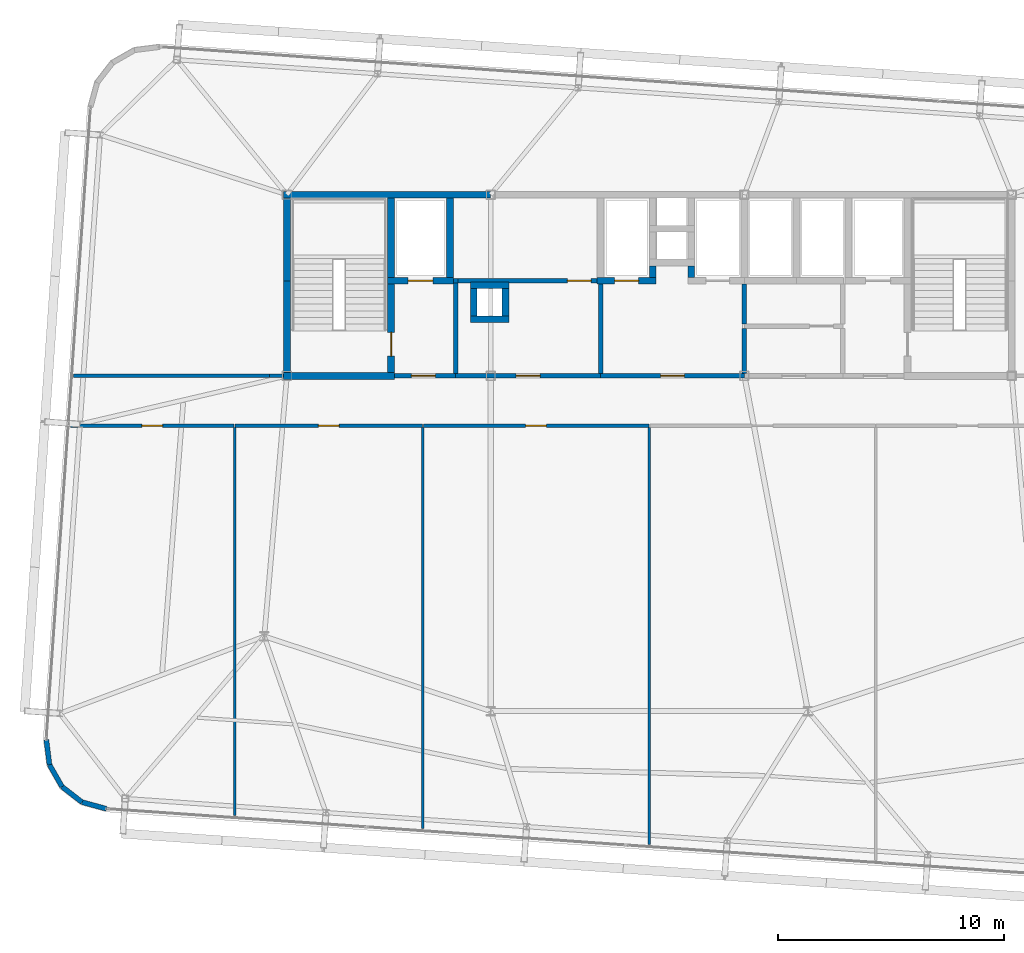
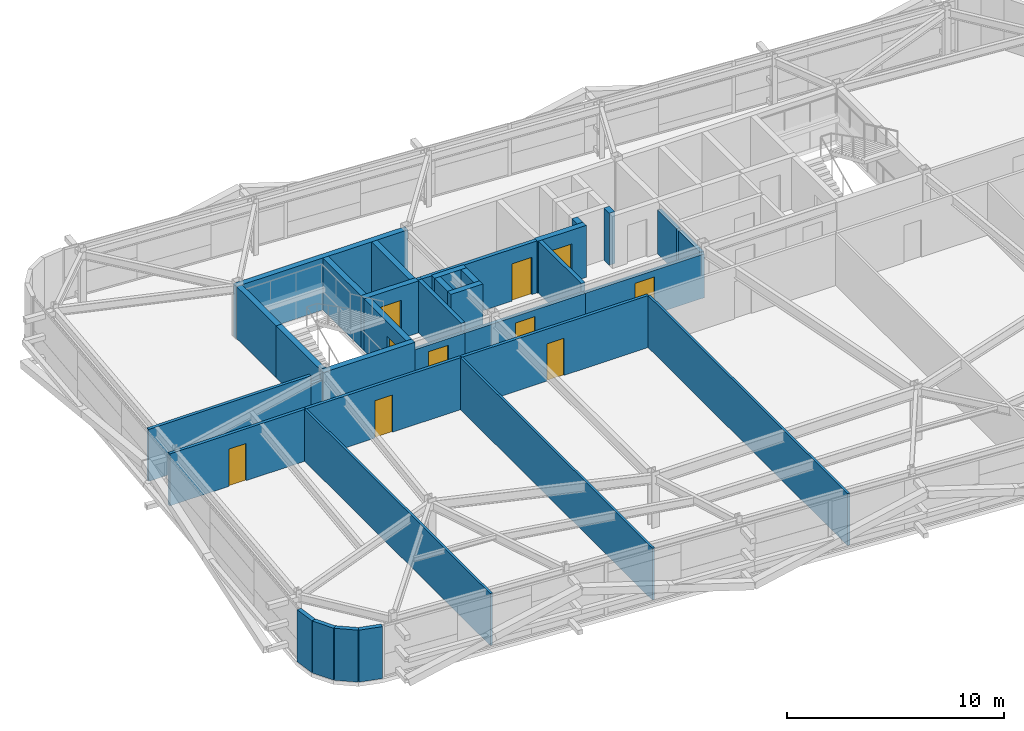
# One storey, part 35 of 39: 36 walls, 10 doors, 10 openings.
"""IFC4 building model written with IfcOpenShell, lengths in metres."""

from ifc_helpers import new_model, si_unit, direction, frame, frame_2d, origin, place, context, subcontext, project, spatial, rectangle, extrude, source, transform, mapped, material, layer, layer_set, type_object, element, fill, save


model = new_model("IFC4")

# Units and contexts
model_context = context("Model", 3, precision=1e-05, world=origin(), true_north=direction((0.0, 1.0)))
body_context = subcontext(model_context, "Body", "Model", "MODEL_VIEW")
ifc_project = project(units=[si_unit("LENGTHUNIT", "METRE"), si_unit("AREAUNIT", "SQUARE_METRE"), si_unit("VOLUMEUNIT", "CUBIC_METRE"), si_unit("PLANEANGLEUNIT", "RADIAN"), si_unit("MASSUNIT", "GRAM", prefix="KILO")], contexts=[model_context])

# Site, building, storey
site_placement = place(None, origin())
site = spatial("IfcSite", under=ifc_project, at=site_placement, CompositionType="ELEMENT")
building_placement = place(site_placement, origin())
building = spatial("IfcBuilding", under=site, at=building_placement, Name="Taldren Reach Tower", CompositionType="ELEMENT")
storey_placement = place(building_placement, frame((0.0, 0.0, 145.60009765625)))
storey = spatial("IfcBuildingStorey", under=building, at=storey_placement, Name="L44", CompositionType="ELEMENT", Elevation=145.60009765625)

# Walls
ifc_material_1 = material(Name="Pale Champagne Anodised Aluminium Cladding", Category="aluminium")
ifc_layer_1 = layer(ifc_material_1, 0.04, Name="Pale Champagne Anodised Aluminium Cladding", Category="aluminium")
ifc_material_2 = material(Name="Mineral Wool Acoustic Insulation", Category="insulation")
ifc_layer_2 = layer(ifc_material_2, 0.06, Name="Mineral Wool Acoustic Insulation", Category="insulation")
ifc_material_3 = material(Name="Steel Gr 350 (C350L0)", Category="steel")
ifc_layer_3 = layer(ifc_material_3, 0.12, Name="Steel Gr 350 (C350L0)", Category="steel")
ifc_layer_set_1 = layer_set([ifc_layer_1, ifc_layer_2, ifc_layer_3], Name="Pale Champagne Aluminium Cladding and Steel Gr 350 Stud Framing")
wall_type_1 = type_object("IfcWallType", Name="EW-CRN-220", PredefinedType="SOLIDWALL", material=ifc_layer_set_1)
shared_shape_1 = source(origin(), body_context, "Body", "SweptSolid", [
    extrude(rectangle(XDim=1.115966796875, YDim=0.219970703125, at=frame_2d((0.55810546875, 0.0))), origin(), (0.0, 0.0, 1.0), 2.929931640625),
])
for number, where, z_axis, x_axis, name in (
    (1, (8.37646484375, 7.93798828125, 0.0), (0.0, 0.0, 1.0), (0.126242535829, -0.991999406324, 0.0), "Rounded-corner pale-metal facade wall L44-SW1"),
    (2, (8.517333984375, 6.8310546875, 0.0), (0.0, 0.0, 1.0), (0.496138938357, -0.868243142124, 0.0), "Rounded-corner pale-metal facade wall L44-SW2"),
    (3, (9.071044921875, 5.862060546875, 0.0), (0.0, 0.0, 1.0), (0.790716874741, -0.612182018684, 0.0), "Rounded-corner pale-metal facade wall L44-SW3"),
    (4, (9.953369140625, 5.178955078125, 0.0), (0.0, 0.0, 1.0), (0.964804199372, -0.262969307856, 0.0), "Rounded-corner pale-metal facade wall L44-SW4"),
):
    element("IfcWall", number, at=place(storey_placement, frame(where, z_axis=z_axis, x_axis=x_axis)), inside=storey, type_object=wall_type_1, Name=name, PredefinedType="SOLIDWALL", context=body_context, shape_type="MappedRepresentation", body=[
        mapped(shared_shape_1, transform((0.0, 0.0, 0.0), scale=1.0)),
    ])
ifc_material_4 = material(Name="Concrete S50 (50 MPa)", Category="concrete")
ifc_layer_4 = layer(ifc_material_4, 0.199951171875)
ifc_layer_set_2 = layer_set([ifc_layer_4], Name="Concrete S50 (50 MPa)")
wall_type_2 = type_object("IfcWallType", Name="IW-CORE-200", PredefinedType="SOLIDWALL", material=ifc_layer_set_2)
shared_shape_2 = source(origin(), body_context, "Body", "SweptSolid", [
    extrude(rectangle(XDim=2.0, YDim=0.199951171875, at=frame_2d((1.0, 0.0))), origin(), (0.0, 0.0, 1.0), 2.469970703125),
])
wall_1_placement = place(storey_placement, frame((39.199951171875, 26.10009765625, 0.0), z_axis=(0.0, 0.0, 1.0), x_axis=(0.0, -1.0, 0.0)))
element("IfcWall", 5, at=wall_1_placement, inside=storey, type_object=wall_type_2, Name="Rear Core Shear Wall W-INT-L44-033", PredefinedType="SOLIDWALL", context=body_context, shape_type="MappedRepresentation", body=[
    mapped(shared_shape_2, transform((0.0, 0.0, 0.0), scale=1.0)),
])
ifc_material_5 = material(Name="Concrete S65 (65 MPa)", Category="concrete")
ifc_layer_5 = layer(ifc_material_5, 0.300048828125)
ifc_layer_set_3 = layer_set([ifc_layer_5], Name="Concrete S65 (65 MPa)")
wall_type_3 = type_object("IfcWallType", Name="IW-CORE-300", PredefinedType="SHEAR", material=ifc_layer_set_3)
shared_shape_3 = source(origin(), body_context, "Body", "SweptSolid", [
    extrude(rectangle(XDim=9.14990234375, YDim=0.300048828125, at=frame_2d((4.574951171875, 0.0))), origin(), (0.0, 0.0, 1.0), 2.929931640625),
])
wall_2_placement = place(storey_placement, frame((18.85009765625, 32.0, 0.0), z_axis=(0.0, 0.0, 1.0), x_axis=(1.0, 0.0, 0.0)))
element("IfcWall", 6, at=wall_2_placement, inside=storey, type_object=wall_type_3, Name="Rear Core Shear Wall W-CORE-L44-NORTH1", PredefinedType="SHEAR", context=body_context, shape_type="MappedRepresentation", body=[
    mapped(shared_shape_3, transform((0.0, 0.0, 0.0), scale=1.0)),
])
shared_shape_4 = source(origin(), body_context, "Body", "SweptSolid", [
    extrude(rectangle(XDim=4.050048828125, YDim=0.300048828125, at=frame_2d((2.02490234375, 0.0))), origin(), (0.0, 0.0, 1.0), 2.929931640625),
])
wall_3_placement = place(storey_placement, frame((19.0, 24.14990234375, 0.0), z_axis=(0.0, 0.0, 1.0), x_axis=(0.0, 1.0, 0.0)))
element("IfcWall", 7, at=wall_3_placement, inside=storey, type_object=wall_type_3, Name="Rear Core Shear Wall W-CORE-L44-WEST1", PredefinedType="SHEAR", context=body_context, shape_type="MappedRepresentation", body=[
    mapped(shared_shape_4, transform((0.0, 0.0, 0.0), scale=1.0)),
])
shared_shape_5 = source(origin(), body_context, "Body", "SweptSolid", [
    extrude(rectangle(XDim=3.650146484375, YDim=0.300048828125, at=frame_2d((1.8251953125, 0.0))), origin(), (0.0, 0.0, 1.0), 2.929931640625),
])
wall_4_placement = place(storey_placement, frame((19.0, 28.199951171875, 0.0), z_axis=(0.0, 0.0, 1.0), x_axis=(0.0, 1.0, 0.0)))
element("IfcWall", 8, at=wall_4_placement, inside=storey, type_object=wall_type_3, Name="Rear Core Shear Wall W-CORE-L44-WEST2", PredefinedType="SHEAR", context=body_context, shape_type="MappedRepresentation", body=[
    mapped(shared_shape_5, transform((0.0, 0.0, 0.0), scale=1.0)),
])
shared_shape_6 = source(origin(), body_context, "Body", "SweptSolid", [
    extrude(rectangle(XDim=3.5, YDim=0.300048828125, at=frame_2d((1.75, 0.0))), origin(), (0.0, 0.0, 1.0), 2.929931640625),
])
for number, where, z_axis, x_axis, name in (
    (9, (23.60009765625, 28.35009765625, 0.0), (0.0, 0.0, 1.0), (0.0, 1.0, 0.0), "Rear Core Shear Wall W-INT-L44-001"),
    (10, (26.199951171875, 28.35009765625, 0.0), (0.0, 0.0, 1.0), (0.0, 1.0, 0.0), "Rear Core Shear Wall W-INT-L44-005"),
):
    element("IfcWall", number, at=place(storey_placement, frame(where, z_axis=z_axis, x_axis=x_axis)), inside=storey, type_object=wall_type_3, Name=name, PredefinedType="SHEAR", context=body_context, shape_type="MappedRepresentation", body=[
        mapped(shared_shape_6, transform((0.0, 0.0, 0.0), scale=1.0)),
    ])

# Wall, opening, door
shared_shape_7 = source(origin(), body_context, "Body", "SweptSolid", [
    extrude(rectangle(XDim=3.900146484375, YDim=0.300048828125, at=frame_2d((1.9501953125, 0.0))), origin(), (0.0, 0.0, 1.0), 2.929931640625),
])
wall_5_placement = place(storey_placement, frame((23.60009765625, 24.14990234375, 0.0), z_axis=(0.0, 0.0, 1.0), x_axis=(0.0, 1.0, 0.0)))
wall_5 = element("IfcWall", 11, at=wall_5_placement, inside=storey, type_object=wall_type_3, Name="Rear Core Shear Wall W-INT-L44-002", PredefinedType="SHEAR", context=body_context, shape_type="MappedRepresentation", body=[
    mapped(shared_shape_7, transform((0.0, 0.0, 0.0), scale=1.0)),
])
shared_shape_8 = source(origin(), body_context, "Body", "SweptSolid", [
    extrude(rectangle(XDim=1.050048828125, YDim=2.10009765625, at=frame_2d((0.52490234375, 1.050048828125))), frame((0.0, 0.16015625, 0.0), z_axis=(0.0, -1.0, 0.0), x_axis=(1.0, 0.0, 0.0)), (0.0, 0.0, 1.0), 0.320068359375),
])
opening_1_placement = place(wall_5_placement, frame((0.72509765625, 0.0, 0.0)))
opening_1 = element("IfcOpeningElement", 12, at=opening_1_placement, cuts=wall_5, Name="Opening DF-105", PredefinedType="OPENING", context=body_context, shape_type="MappedRepresentation", body=[
    mapped(shared_shape_8, transform((0.0, 0.0, 0.0), scale=1.0)),
])
ifc_material_6 = material(Name="Fire-Rated Care and Stair Exit Door")
door_type_1 = type_object("IfcDoorType", Name="ID-FIRE-105", OperationType="NOTDEFINED", PredefinedType="DOOR", material=ifc_material_6)
shared_shape_9 = source(origin(), body_context, "Body", "SweptSolid", [
    extrude(rectangle(XDim=1.050048828125, YDim=2.10009765625, at=frame_2d((0.52490234375, 1.050048828125))), frame((0.0, 0.02490234375, 0.0), z_axis=(0.0, -1.0, 0.0), x_axis=(1.0, 0.0, 0.0)), (0.0, 0.0, 1.0), 0.050048828125),
])
door_1_placement = place(opening_1_placement, origin())
door_1 = element("IfcDoor", 13, at=door_1_placement, inside=storey, type_object=door_type_1, Name="Fire Exit Stair Door DR-L44-001", OperationType="SINGLE_SWING_LEFT", OverallHeight=2.10009765625, OverallWidth=1.050048828125, PredefinedType="DOOR", context=body_context, shape_type="MappedRepresentation", body=[
    mapped(shared_shape_9, transform((0.0, 0.0, 0.0), scale=1.0)),
])
fill(opening_1, door_1)

# Wall
shared_shape_10 = source(origin(), body_context, "Body", "SweptSolid", [
    extrude(rectangle(XDim=4.89990234375, YDim=0.300048828125, at=frame_2d((2.449951171875, 0.0))), origin(), (0.0, 0.0, 1.0), 2.929931640625),
])
wall_6_placement = place(storey_placement, frame((18.85009765625, 24.0, 0.0), z_axis=(0.0, 0.0, 1.0), x_axis=(1.0, 0.0, 0.0)))
element("IfcWall", 14, at=wall_6_placement, inside=storey, type_object=wall_type_3, Name="Rear Core Shear Wall W-INT-L44-003", PredefinedType="SHEAR", context=body_context, shape_type="MappedRepresentation", body=[
    mapped(shared_shape_10, transform((0.0, 0.0, 0.0), scale=1.0)),
])

# Wall, opening, door
shared_shape_11 = source(origin(), body_context, "Body", "SweptSolid", [
    extrude(rectangle(XDim=2.900146484375, YDim=0.300048828125, at=frame_2d((1.4501953125, 0.0))), origin(), (0.0, 0.0, 1.0), 2.929931640625),
])
wall_7_placement = place(storey_placement, frame((23.449951171875, 28.199951171875, 0.0), z_axis=(0.0, 0.0, 1.0), x_axis=(1.0, 0.0, 0.0)))
wall_7 = element("IfcWall", 15, at=wall_7_placement, inside=storey, type_object=wall_type_3, Name="Rear Core Shear Wall W-INT-L44-004", PredefinedType="SHEAR", context=body_context, shape_type="MappedRepresentation", body=[
    mapped(shared_shape_11, transform((0.0, 0.0, 0.0), scale=1.0)),
])
shared_shape_12 = source(origin(), body_context, "Body", "SweptSolid", [
    extrude(rectangle(XDim=1.10009765625, YDim=2.14990234375, at=frame_2d((0.550048828125, 1.074951171875))), frame((0.0, 0.16015625, 0.0), z_axis=(0.0, -1.0, 0.0), x_axis=(1.0, 0.0, 0.0)), (0.0, 0.0, 1.0), 0.320068359375),
])
opening_2_placement = place(wall_7_placement, frame((0.89990234375, 0.0, 0.0)))
opening_2 = element("IfcOpeningElement", 16, at=opening_2_placement, cuts=wall_7, Name="Opening LD-FL1", PredefinedType="OPENING", context=body_context, shape_type="MappedRepresentation", body=[
    mapped(shared_shape_12, transform((0.0, 0.0, 0.0), scale=1.0)),
])
ifc_material_7 = material(Name="Stainless Steel Gr 316 Emergency Lift Landing Door", Category="steel")
door_type_2 = type_object("IfcDoorType", Name="LD-EMG-110", OperationType="SLIDING_TO_LEFT", PredefinedType="DOOR", material=ifc_material_7)
shared_shape_13 = source(origin(), body_context, "Body", "SweptSolid", [
    extrude(rectangle(XDim=1.10009765625, YDim=2.14990234375, at=frame_2d((0.550048828125, 1.074951171875))), frame((0.0, 0.02490234375, 0.0), z_axis=(0.0, -1.0, 0.0), x_axis=(1.0, 0.0, 0.0)), (0.0, 0.0, 1.0), 0.050048828125),
])
door_2_placement = place(opening_2_placement, origin())
door_2 = element("IfcDoor", 17, at=door_2_placement, inside=storey, type_object=door_type_2, Name="Lift Landing Door LD-FL1-L44", OperationType="SLIDING_TO_LEFT", OverallHeight=2.14990234375, OverallWidth=1.10009765625, PredefinedType="DOOR", context=body_context, shape_type="MappedRepresentation", body=[
    mapped(shared_shape_13, transform((0.0, 0.0, 0.0), scale=1.0)),
])
fill(opening_2, door_2)

# Wall
shared_shape_14 = source(origin(), body_context, "Body", "SweptSolid", [
    extrude(rectangle(XDim=3.949951171875, YDim=0.199951171875, at=frame_2d((1.97509765625, 0.0))), origin(), (0.0, 0.0, 1.0), 2.929931640625),
])
wall_8_placement = place(storey_placement, frame((32.85009765625, 24.10009765625, 0.0), z_axis=(0.0, 0.0, 1.0), x_axis=(0.0, 1.0, 0.0)))
element("IfcWall", 18, at=wall_8_placement, inside=storey, type_object=wall_type_2, Name="Rear Core Shear Wall W-INT-L44-032", PredefinedType="SOLIDWALL", context=body_context, shape_type="MappedRepresentation", body=[
    mapped(shared_shape_14, transform((0.0, 0.0, 0.0), scale=1.0)),
])

# Wall, opening, door
shared_shape_15 = source(origin(), body_context, "Body", "SweptSolid", [
    extrude(rectangle(XDim=2.699951171875, YDim=0.199951171875, at=frame_2d((1.35009765625, 0.0))), origin(), (0.0, 0.0, 1.0), 2.469970703125),
])
wall_9_placement = place(storey_placement, frame((23.75, 24.0, 0.0), z_axis=(0.0, 0.0, 1.0), x_axis=(1.0, 0.0, 0.0)))
wall_9 = element("IfcWall", 19, at=wall_9_placement, inside=storey, type_object=wall_type_2, Name="Rear Core Shear Wall W-INT-L44-007", PredefinedType="SOLIDWALL", context=body_context, shape_type="MappedRepresentation", body=[
    mapped(shared_shape_15, transform((0.0, 0.0, 0.0), scale=1.0)),
])
shared_shape_16 = source(origin(), body_context, "Body", "SweptSolid", [
    extrude(rectangle(XDim=1.050048828125, YDim=2.10009765625, at=frame_2d((0.52490234375, 1.050048828125))), frame((0.0, 0.10986328125, 0.0), z_axis=(0.0, -1.0, 0.0), x_axis=(1.0, 0.0, 0.0)), (0.0, 0.0, 1.0), 0.219970703125),
])
opening_3_placement = place(wall_9_placement, frame((0.75, 0.0, 0.0)))
opening_3 = element("IfcOpeningElement", 20, at=opening_3_placement, cuts=wall_9, Name="Opening DF-105", PredefinedType="OPENING", context=body_context, shape_type="MappedRepresentation", body=[
    mapped(shared_shape_16, transform((0.0, 0.0, 0.0), scale=1.0)),
])
door_3_placement = place(opening_3_placement, origin())
door_3 = element("IfcDoor", 21, at=door_3_placement, inside=storey, type_object=door_type_1, Name="Interior Door DR-L44-002", OperationType="SINGLE_SWING_LEFT", OverallHeight=2.10009765625, OverallWidth=1.050048828125, PredefinedType="DOOR", context=body_context, shape_type="MappedRepresentation", body=[
    mapped(shared_shape_9, transform((0.0, 0.0, 0.0), scale=1.0)),
])
fill(opening_3, door_3)

# Walls
shared_shape_17 = source(origin(), body_context, "Body", "SweptSolid", [
    extrude(rectangle(XDim=1.2001953125, YDim=0.300048828125, at=frame_2d((0.60009765625, 0.0))), origin(), (0.0, 0.0, 1.0), 2.929931640625),
])
for number, where, z_axis, x_axis, name in (
    (22, (28.64990234375, 26.64990234375, 0.0), (0.0, 0.0, 1.0), (0.0, 1.0, 0.0), "Rear Core Shear Wall W-INT-L44-022"),
    (23, (27.25, 27.85009765625, 0.0), (0.0, 0.0, 1.0), (0.0, -1.0, 0.0), "Rear Core Shear Wall W-INT-L44-023"),
):
    element("IfcWall", number, at=place(storey_placement, frame(where, z_axis=z_axis, x_axis=x_axis)), inside=storey, type_object=wall_type_3, Name=name, PredefinedType="SHEAR", context=body_context, shape_type="MappedRepresentation", body=[
        mapped(shared_shape_17, transform((0.0, 0.0, 0.0), scale=1.0)),
    ])
shared_shape_18 = source(origin(), body_context, "Body", "SweptSolid", [
    extrude(rectangle(XDim=0.5, YDim=0.300048828125, at=frame_2d((0.25, 0.0))), origin(), (0.0, 0.0, 1.0), 2.929931640625),
])
for number, where, z_axis, x_axis, name in (
    (24, (35.14990234375, 28.35009765625, 0.0), (0.0, 0.0, 1.0), (0.0, 1.0, 0.0), "Rear Core Shear Wall W-INT-L44-027"),
    (25, (36.85009765625, 28.85009765625, 0.0), (0.0, 0.0, 1.0), (0.0, -1.0, 0.0), "Rear Core Shear Wall W-INT-L44-030"),
):
    element("IfcWall", number, at=place(storey_placement, frame(where, z_axis=z_axis, x_axis=x_axis)), inside=storey, type_object=wall_type_3, Name=name, PredefinedType="SHEAR", context=body_context, shape_type="MappedRepresentation", body=[
        mapped(shared_shape_18, transform((0.0, 0.0, 0.0), scale=1.0)),
    ])

# Wall, opening, door
shared_shape_19 = source(origin(), body_context, "Body", "SweptSolid", [
    extrude(rectangle(XDim=2.60009765625, YDim=0.300048828125, at=frame_2d((1.300048828125, 0.0))), origin(), (0.0, 0.0, 1.0), 2.929931640625),
])
wall_10_placement = place(storey_placement, frame((32.699951171875, 28.199951171875, 0.0), z_axis=(0.0, 0.0, 1.0), x_axis=(1.0, 0.0, 0.0)))
wall_10 = element("IfcWall", 26, at=wall_10_placement, inside=storey, type_object=wall_type_3, Name="Rear Core Shear Wall W-INT-L44-026", PredefinedType="SHEAR", context=body_context, shape_type="MappedRepresentation", body=[
    mapped(shared_shape_19, transform((0.0, 0.0, 0.0), scale=1.0)),
])
shared_shape_20 = source(origin(), body_context, "Body", "SweptSolid", [
    extrude(rectangle(XDim=1.050048828125, YDim=2.14990234375, at=frame_2d((0.52490234375, 1.074951171875))), frame((0.0, 0.16015625, 0.0), z_axis=(0.0, -1.0, 0.0), x_axis=(1.0, 0.0, 0.0)), (0.0, 0.0, 1.0), 0.320068359375),
])
opening_4_placement = place(wall_10_placement, frame((0.77490234375, 0.0, 0.0)))
opening_4 = element("IfcOpeningElement", 27, at=opening_4_placement, cuts=wall_10, Name="Opening LD-PM1", PredefinedType="OPENING", context=body_context, shape_type="MappedRepresentation", body=[
    mapped(shared_shape_20, transform((0.0, 0.0, 0.0), scale=1.0)),
])
ifc_material_8 = material(Name="Stainless Steel Gr 316 Passenger Lift Landing Door", Category="steel")
door_type_3 = type_object("IfcDoorType", Name="LD-PAS-105", OperationType="SLIDING_TO_LEFT", PredefinedType="DOOR", material=ifc_material_8)
shared_shape_21 = source(origin(), body_context, "Body", "SweptSolid", [
    extrude(rectangle(XDim=1.050048828125, YDim=2.14990234375, at=frame_2d((0.52490234375, 1.074951171875))), frame((0.0, 0.02490234375, 0.0), z_axis=(0.0, -1.0, 0.0), x_axis=(1.0, 0.0, 0.0)), (0.0, 0.0, 1.0), 0.050048828125),
])
door_4_placement = place(opening_4_placement, origin())
door_4 = element("IfcDoor", 28, at=door_4_placement, inside=storey, type_object=door_type_3, Name="Lift Landing Door LD-PM1-L44", OperationType="SLIDING_TO_LEFT", OverallHeight=2.14990234375, OverallWidth=1.050048828125, PredefinedType="DOOR", context=body_context, shape_type="MappedRepresentation", body=[
    mapped(shared_shape_21, transform((0.0, 0.0, 0.0), scale=1.0)),
])
fill(opening_4, door_4)

# Walls
shared_shape_22 = source(origin(), body_context, "Body", "SweptSolid", [
    extrude(rectangle(XDim=4.0, YDim=0.199951171875, at=frame_2d((2.0, 0.0))), origin(), (0.0, 0.0, 1.0), 2.929931640625),
])
wall_11_placement = place(storey_placement, frame((26.449951171875, 24.10009765625, 0.0), z_axis=(0.0, 0.0, 1.0), x_axis=(0.0, 1.0, 0.0)))
element("IfcWall", 29, at=wall_11_placement, inside=storey, type_object=wall_type_2, Name="Rear Core Shear Wall W-INT-L44-006", PredefinedType="SOLIDWALL", context=body_context, shape_type="MappedRepresentation", body=[
    mapped(shared_shape_22, transform((0.0, 0.0, 0.0), scale=1.0)),
])
shared_shape_23 = source(origin(), body_context, "Body", "SweptSolid", [
    extrude(rectangle(XDim=1.699951171875, YDim=0.300048828125, at=frame_2d((0.85009765625, 0.0))), origin(), (0.0, 0.0, 1.0), 2.929931640625),
])
for number, where, z_axis, x_axis, name in (
    (30, (28.800048828125, 28.0, 0.0), (0.0, 0.0, 1.0), (-1.0, 0.0, 0.0), "Rear Core Shear Wall W-INT-L44-024"),
    (31, (27.10009765625, 26.5, 0.0), (0.0, 0.0, 1.0), (1.0, 0.0, 0.0), "Rear Core Shear Wall W-INT-L44-025"),
):
    element("IfcWall", number, at=place(storey_placement, frame(where, z_axis=z_axis, x_axis=x_axis)), inside=storey, type_object=wall_type_3, Name=name, PredefinedType="SHEAR", context=body_context, shape_type="MappedRepresentation", body=[
        mapped(shared_shape_23, transform((0.0, 0.0, 0.0), scale=1.0)),
    ])

# Wall, opening, door
shared_shape_24 = source(origin(), body_context, "Body", "SweptSolid", [
    extrude(rectangle(XDim=6.349853515625, YDim=0.199951171875, at=frame_2d((3.1748046875, 0.0))), origin(), (0.0, 0.0, 1.0), 2.469970703125),
])
wall_12_placement = place(storey_placement, frame((39.199951171875, 24.0, 0.0), z_axis=(0.0, 0.0, 1.0), x_axis=(-1.0, 0.0, 0.0)))
wall_12 = element("IfcWall", 32, at=wall_12_placement, inside=storey, type_object=wall_type_2, Name="Rear Core Shear Wall W-INT-L44-035", PredefinedType="SOLIDWALL", context=body_context, shape_type="MappedRepresentation", body=[
    mapped(shared_shape_24, transform((0.0, 0.0, 0.0), scale=1.0)),
])
opening_5_placement = place(wall_12_placement, frame((2.64990234375, 0.0, 0.0)))
opening_5 = element("IfcOpeningElement", 33, at=opening_5_placement, cuts=wall_12, Name="Opening DF-105", PredefinedType="OPENING", context=body_context, shape_type="MappedRepresentation", body=[
    mapped(shared_shape_16, transform((0.0, 0.0, 0.0), scale=1.0)),
])
door_5_placement = place(opening_5_placement, frame((1.050048828125, 0.0, 0.0), z_axis=(0.0, 0.0, 1.0), x_axis=(-1.0, 0.0, 0.0)))
door_5 = element("IfcDoor", 34, at=door_5_placement, inside=storey, type_object=door_type_1, Name="Interior Door DR-L44-005", OperationType="SINGLE_SWING_LEFT", OverallHeight=2.10009765625, OverallWidth=1.050048828125, PredefinedType="DOOR", context=body_context, shape_type="MappedRepresentation", body=[
    mapped(shared_shape_9, transform((0.0, 0.0, 0.0), scale=1.0)),
])
fill(opening_5, door_5)

# Walls
ifc_material_9 = material(Name="Fire-Rated Acoustic Plasterboard Stud Wall", Category="gypsum")
ifc_layer_6 = layer(ifc_material_9, 0.159912109375)
ifc_layer_set_4 = layer_set([ifc_layer_6], Name="Fire-Rated Acoustic Plasterboard Stud Wall")
wall_type_4 = type_object("IfcWallType", Name="IW-FIRE-160", PredefinedType="PARTITIONING", material=ifc_layer_set_4)
shared_shape_25 = source(origin(), body_context, "Body", "SweptSolid", [
    extrude(rectangle(XDim=8.65234375, YDim=0.159912109375, at=frame_2d((4.326171875, 0.0))), origin(), (0.0, 0.0, 1.0), 2.929931640625),
])
wall_13_placement = place(storey_placement, frame((9.584228515625, 24.0, 0.0), z_axis=(0.0, 0.0, 1.0), x_axis=(1.0, 0.0, 0.0)))
element("IfcWall", 35, at=wall_13_placement, inside=storey, type_object=wall_type_4, Name="Interior Partition Wall W-INT-L44-050", PredefinedType="PARTITIONING", context=body_context, shape_type="MappedRepresentation", body=[
    mapped(shared_shape_25, transform((0.0, 0.0, 0.0), scale=1.0)),
])
shared_shape_26 = source(origin(), body_context, "Body", "SweptSolid", [
    extrude(rectangle(XDim=0.613525390625, YDim=0.159912109375, at=frame_2d((0.306640625, 0.0))), origin(), (0.0, 0.0, 1.0), 2.469970703125),
])
wall_14_placement = place(storey_placement, frame((18.236572265625, 24.0, 0.0), z_axis=(0.0, 0.0, 1.0), x_axis=(1.0, 0.0, 0.0)))
element("IfcWall", 36, at=wall_14_placement, inside=storey, type_object=wall_type_4, Name="Interior Partition Wall W-INT-L44-050 part 2", PredefinedType="PARTITIONING", context=body_context, shape_type="MappedRepresentation", body=[
    mapped(shared_shape_26, transform((0.0, 0.0, 0.0), scale=1.0)),
])
shared_shape_27 = source(origin(), body_context, "Body", "SweptSolid", [
    extrude(rectangle(XDim=0.199951171875, YDim=0.199951171875, at=frame_2d((0.10009765625, 0.0))), origin(), (0.0, 0.0, 1.0), 2.929931640625),
])
wall_15_placement = place(storey_placement, frame((26.35009765625, 28.199951171875, 0.0), z_axis=(0.0, 0.0, 1.0), x_axis=(1.0, 0.0, 0.0)))
element("IfcWall", 37, at=wall_15_placement, inside=storey, type_object=wall_type_2, Name="Rear Core Partition Wall W-INT-L44-056", PredefinedType="SOLIDWALL", context=body_context, shape_type="MappedRepresentation", body=[
    mapped(shared_shape_27, transform((0.0, 0.0, 0.0), scale=1.0)),
])
shared_shape_28 = source(origin(), body_context, "Body", "SweptSolid", [
    extrude(rectangle(XDim=1.75, YDim=0.199951171875, at=frame_2d((0.875, 0.0))), origin(), (0.0, 0.0, 1.0), 2.469970703125),
])
wall_16_placement = place(storey_placement, frame((39.199951171875, 28.050048828125, 0.0), z_axis=(0.0, 0.0, 1.0), x_axis=(0.0, -1.0, 0.0)))
element("IfcWall", 38, at=wall_16_placement, inside=storey, type_object=wall_type_2, Name="Rear Core Shear Wall W-INT-L44-034", PredefinedType="SOLIDWALL", context=body_context, shape_type="MappedRepresentation", body=[
    mapped(shared_shape_28, transform((0.0, 0.0, 0.0), scale=1.0)),
])

# Wall, opening, door
shared_shape_29 = source(origin(), body_context, "Body", "SweptSolid", [
    extrude(rectangle(XDim=6.25, YDim=0.199951171875, at=frame_2d((3.125, 0.0))), origin(), (0.0, 0.0, 1.0), 2.929931640625),
])
wall_17_placement = place(storey_placement, frame((26.449951171875, 28.199951171875, 0.0), z_axis=(0.0, 0.0, 1.0), x_axis=(1.0, 0.0, 0.0)))
wall_17 = element("IfcWall", 39, at=wall_17_placement, inside=storey, type_object=wall_type_2, Name="Rear Core Shear Wall W-INT-L44-039", PredefinedType="SOLIDWALL", context=body_context, shape_type="MappedRepresentation", body=[
    mapped(shared_shape_29, transform((0.0, 0.0, 0.0), scale=1.0)),
])
opening_6_placement = place(wall_17_placement, frame((4.929931640625, 0.0, 0.0)))
opening_6 = element("IfcOpeningElement", 40, at=opening_6_placement, cuts=wall_17, Name="Opening DF-105", PredefinedType="OPENING", context=body_context, shape_type="MappedRepresentation", body=[
    mapped(shared_shape_16, transform((0.0, 0.0, 0.0), scale=1.0)),
])
door_6_placement = place(opening_6_placement, origin())
door_6 = element("IfcDoor", 41, at=door_6_placement, inside=storey, type_object=door_type_1, Name="Interior Door DR-L44-006", OperationType="SINGLE_SWING_RIGHT", OverallHeight=2.10009765625, OverallWidth=1.050048828125, PredefinedType="DOOR", context=body_context, shape_type="MappedRepresentation", body=[
    mapped(shared_shape_9, transform((0.0, 0.0, 0.0), scale=1.0)),
])
fill(opening_6, door_6)

shared_shape_30 = source(origin(), body_context, "Body", "SweptSolid", [
    extrude(rectangle(XDim=6.400146484375, YDim=0.199951171875, at=frame_2d((3.2001953125, 0.0))), origin(), (0.0, 0.0, 1.0), 2.469970703125),
])
wall_18_placement = place(storey_placement, frame((32.85009765625, 24.0, 0.0), z_axis=(0.0, 0.0, 1.0), x_axis=(-1.0, 0.0, 0.0)))
wall_18 = element("IfcWall", 42, at=wall_18_placement, inside=storey, type_object=wall_type_2, Name="Rear Core Shear Wall W-INT-L44-040", PredefinedType="SOLIDWALL", context=body_context, shape_type="MappedRepresentation", body=[
    mapped(shared_shape_30, transform((0.0, 0.0, 0.0), scale=1.0)),
])
opening_7_placement = place(wall_18_placement, frame((2.675048828125, 0.0, 0.0)))
opening_7 = element("IfcOpeningElement", 43, at=opening_7_placement, cuts=wall_18, Name="Opening DF-105", PredefinedType="OPENING", context=body_context, shape_type="MappedRepresentation", body=[
    mapped(shared_shape_16, transform((0.0, 0.0, 0.0), scale=1.0)),
])
door_7_placement = place(opening_7_placement, frame((1.050048828125, 0.0, 0.0), z_axis=(0.0, 0.0, 1.0), x_axis=(-1.0, 0.0, 0.0)))
door_7 = element("IfcDoor", 44, at=door_7_placement, inside=storey, type_object=door_type_1, Name="Interior Door DR-L44-007", OperationType="SINGLE_SWING_LEFT", OverallHeight=2.10009765625, OverallWidth=1.050048828125, PredefinedType="DOOR", context=body_context, shape_type="MappedRepresentation", body=[
    mapped(shared_shape_9, transform((0.0, 0.0, 0.0), scale=1.0)),
])
fill(opening_7, door_7)

shared_shape_31 = source(origin(), body_context, "Body", "SweptSolid", [
    extrude(rectangle(XDim=7.232177734375, YDim=0.159912109375, at=frame_2d((3.6162109375, 0.0))), origin(), (0.0, 0.0, 1.0), 2.929931640625),
])
wall_19_placement = place(storey_placement, frame((16.673583984375, 21.800048828125, 0.0), z_axis=(0.0, 0.0, 1.0), x_axis=(-1.0, 0.0, 0.0)))
wall_19 = element("IfcWall", 45, at=wall_19_placement, inside=storey, type_object=wall_type_4, Name="Interior Partition Wall W-INT-L44-043", PredefinedType="PARTITIONING", context=body_context, shape_type="MappedRepresentation", body=[
    mapped(shared_shape_31, transform((0.0, 0.0, 0.0), scale=1.0)),
])
shared_shape_32 = source(origin(), body_context, "Body", "SweptSolid", [
    extrude(rectangle(XDim=0.919921875, YDim=2.10009765625, at=frame_2d((0.4599609375, 1.050048828125))), frame((0.0, 0.08984375, 0.0), z_axis=(0.0, -1.0, 0.0), x_axis=(1.0, 0.0, 0.0)), (0.0, 0.0, 1.0), 0.179931640625),
])
opening_8_placement = place(wall_19_placement, frame((3.156005859375, 0.0, 0.0)))
opening_8 = element("IfcOpeningElement", 46, at=opening_8_placement, cuts=wall_19, Name="Opening DI-092", PredefinedType="OPENING", context=body_context, shape_type="MappedRepresentation", body=[
    mapped(shared_shape_32, transform((0.0, 0.0, 0.0), scale=1.0)),
])
ifc_material_10 = material(Name="Solid-Core Timber Suite Door", Category="wood")
door_type_4 = type_object("IfcDoorType", Name="ID-INT-092", OperationType="NOTDEFINED", PredefinedType="DOOR", material=ifc_material_10)
shared_shape_33 = source(origin(), body_context, "Body", "SweptSolid", [
    extrude(rectangle(XDim=0.919921875, YDim=2.10009765625, at=frame_2d((0.4599609375, 1.050048828125))), frame((0.0, 0.02490234375, 0.0), z_axis=(0.0, -1.0, 0.0), x_axis=(1.0, 0.0, 0.0)), (0.0, 0.0, 1.0), 0.050048828125),
])
door_8_placement = place(opening_8_placement, origin())
door_8 = element("IfcDoor", 47, at=door_8_placement, inside=storey, type_object=door_type_4, Name="Interior Door DR-L44-010", OperationType="SINGLE_SWING_LEFT", OverallHeight=2.10009765625, OverallWidth=0.919921875, PredefinedType="DOOR", context=body_context, shape_type="MappedRepresentation", body=[
    mapped(shared_shape_33, transform((0.0, 0.0, 0.0), scale=1.0)),
])
fill(opening_8, door_8)

shared_shape_34 = source(origin(), body_context, "Body", "SweptSolid", [
    extrude(rectangle(XDim=8.265380859375, YDim=0.159912109375, at=frame_2d((4.1328125, 0.0))), origin(), (0.0, 0.0, 1.0), 2.929931640625),
])
wall_20_placement = place(storey_placement, frame((24.9794921875, 21.800048828125, 0.0), z_axis=(0.0, 0.0, 1.0), x_axis=(-1.0, 0.0, 0.0)))
wall_20 = element("IfcWall", 48, at=wall_20_placement, inside=storey, type_object=wall_type_4, Name="Interior Partition Wall W-INT-L44-044", PredefinedType="PARTITIONING", context=body_context, shape_type="MappedRepresentation", body=[
    mapped(shared_shape_34, transform((0.0, 0.0, 0.0), scale=1.0)),
])
opening_9_placement = place(wall_20_placement, frame((3.672607421875, 0.0, 0.0)))
opening_9 = element("IfcOpeningElement", 49, at=opening_9_placement, cuts=wall_20, Name="Opening DI-092", PredefinedType="OPENING", context=body_context, shape_type="MappedRepresentation", body=[
    mapped(shared_shape_32, transform((0.0, 0.0, 0.0), scale=1.0)),
])
door_9_placement = place(opening_9_placement, origin())
door_9 = element("IfcDoor", 50, at=door_9_placement, inside=storey, type_object=door_type_4, Name="Interior Door DR-L44-011", OperationType="SINGLE_SWING_RIGHT", OverallHeight=2.10009765625, OverallWidth=0.919921875, PredefinedType="DOOR", context=body_context, shape_type="MappedRepresentation", body=[
    mapped(shared_shape_33, transform((0.0, 0.0, 0.0), scale=1.0)),
])
fill(opening_9, door_9)

shared_shape_35 = source(origin(), body_context, "Body", "SweptSolid", [
    extrude(rectangle(XDim=9.959228515625, YDim=0.159912109375, at=frame_2d((4.9794921875, 0.0))), origin(), (0.0, 0.0, 1.0), 2.929931640625),
])
wall_21_placement = place(storey_placement, frame((34.979736328125, 21.800048828125, 0.0), z_axis=(0.0, 0.0, 1.0), x_axis=(-1.0, 0.0, 0.0)))
wall_21 = element("IfcWall", 51, at=wall_21_placement, inside=storey, type_object=wall_type_4, Name="Interior Partition Wall W-INT-L44-045", PredefinedType="PARTITIONING", context=body_context, shape_type="MappedRepresentation", body=[
    mapped(shared_shape_35, transform((0.0, 0.0, 0.0), scale=1.0)),
])
opening_10_placement = place(wall_21_placement, frame((4.51953125, 0.0, 0.0)))
opening_10 = element("IfcOpeningElement", 52, at=opening_10_placement, cuts=wall_21, Name="Opening DI-092", PredefinedType="OPENING", context=body_context, shape_type="MappedRepresentation", body=[
    mapped(shared_shape_32, transform((0.0, 0.0, 0.0), scale=1.0)),
])
door_10_placement = place(opening_10_placement, origin())
door_10 = element("IfcDoor", 53, at=door_10_placement, inside=storey, type_object=door_type_4, Name="Interior Door DR-L44-012", OperationType="SINGLE_SWING_LEFT", OverallHeight=2.10009765625, OverallWidth=0.919921875, PredefinedType="DOOR", context=body_context, shape_type="MappedRepresentation", body=[
    mapped(shared_shape_33, transform((0.0, 0.0, 0.0), scale=1.0)),
])
fill(opening_10, door_10)

# Walls
ifc_material_11 = material(Name="Insulated Residential Stud Partition", Category="gypsum")
ifc_layer_7 = layer(ifc_material_11, 0.1201171875)
ifc_layer_set_5 = layer_set([ifc_layer_7], Name="Insulated Residential Stud Partition")
wall_type_5 = type_object("IfcWallType", Name="IW-PART-120", PredefinedType="PARTITIONING", material=ifc_layer_set_5)
shared_shape_36 = source(origin(), body_context, "Body", "SweptSolid", [
    extrude(rectangle(XDim=17.130859375, YDim=0.1201171875, at=frame_2d((8.5654296875, 0.0))), origin(), (0.0, 0.0, 1.0), 2.929931640625),
])
wall_22_placement = place(storey_placement, frame((16.69384765625, 21.718017578125, 0.0), z_axis=(0.0, 0.0, 1.0), x_axis=(0.0, -1.0, 0.0)))
element("IfcWall", 54, at=wall_22_placement, inside=storey, type_object=wall_type_5, Name="Interior Partition Wall W-INT-L44-051", PredefinedType="PARTITIONING", context=body_context, shape_type="MappedRepresentation", body=[
    mapped(shared_shape_36, transform((0.0, 0.0, 0.0), scale=1.0)),
])
shared_shape_37 = source(origin(), body_context, "Body", "SweptSolid", [
    extrude(rectangle(XDim=17.709716796875, YDim=0.1201171875, at=frame_2d((8.85498046875, 0.0))), origin(), (0.0, 0.0, 1.0), 2.929931640625),
])
wall_23_placement = place(storey_placement, frame((25.0, 21.717041015625, 0.0), z_axis=(0.0, 0.0, 1.0), x_axis=(0.0, -1.0, 0.0)))
element("IfcWall", 55, at=wall_23_placement, inside=storey, type_object=wall_type_5, Name="Interior Partition Wall W-INT-L44-052", PredefinedType="PARTITIONING", context=body_context, shape_type="MappedRepresentation", body=[
    mapped(shared_shape_37, transform((0.0, 0.0, 0.0), scale=1.0)),
])
shared_shape_38 = source(origin(), body_context, "Body", "SweptSolid", [
    extrude(rectangle(XDim=18.410888671875, YDim=0.1201171875, at=frame_2d((9.20556640625, 0.0))), origin(), (0.0, 0.0, 1.0), 2.929931640625),
])
wall_24_placement = place(storey_placement, frame((35.0, 21.718017578125, 0.0), z_axis=(0.0, 0.0, 1.0), x_axis=(0.0, -1.0, 0.0)))
element("IfcWall", 56, at=wall_24_placement, inside=storey, type_object=wall_type_5, Name="Interior Partition Wall W-INT-L44-053", PredefinedType="PARTITIONING", context=body_context, shape_type="MappedRepresentation", body=[
    mapped(shared_shape_38, transform((0.0, 0.0, 0.0), scale=1.0)),
])

save(model, "model.ifc")
